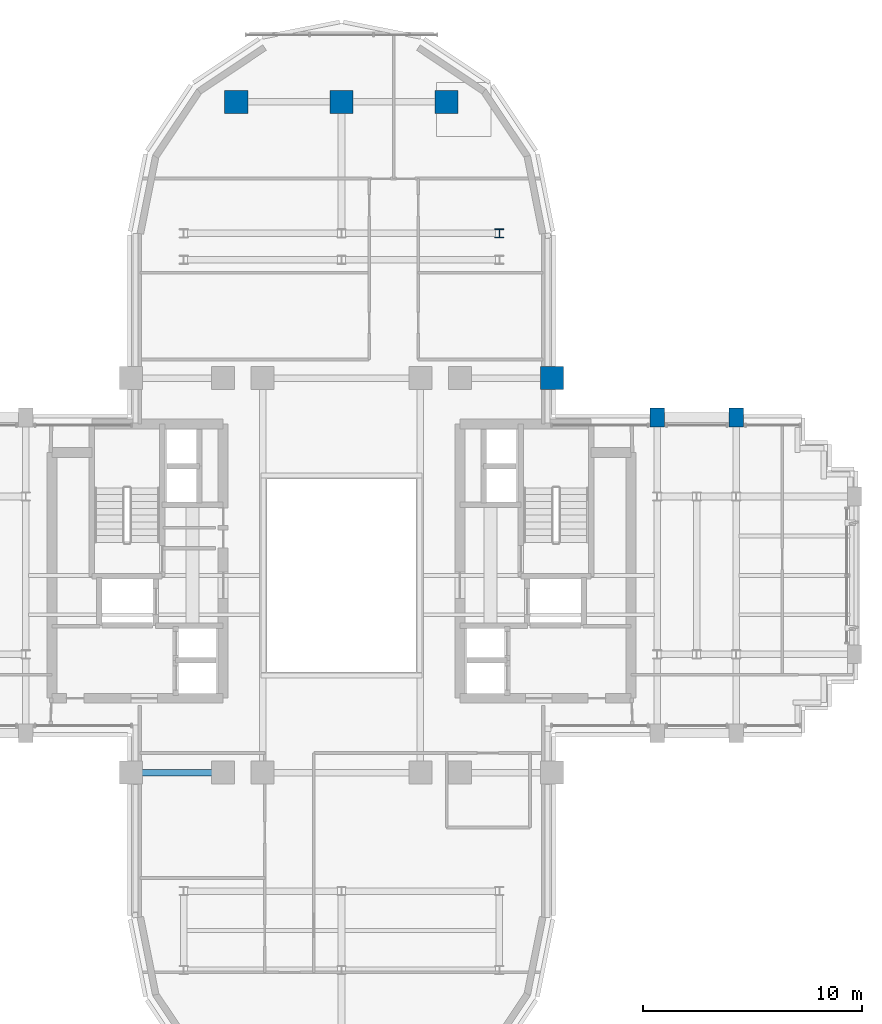
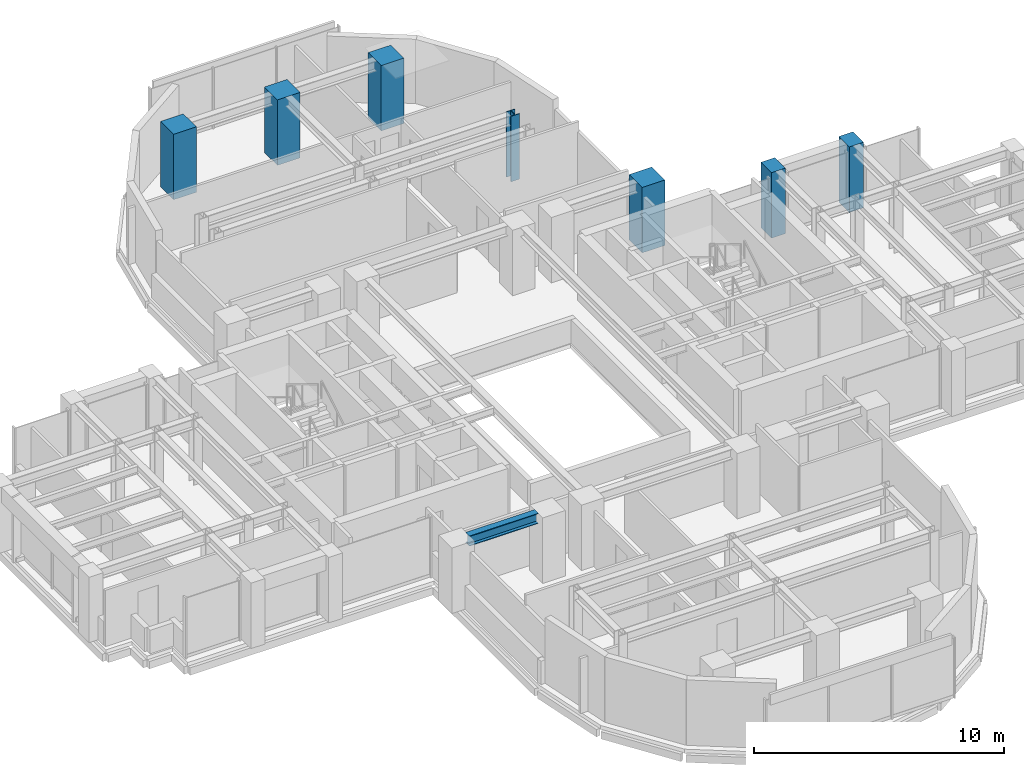
# One storey, part 2 of 14: 7 columns, 1 beam.
"""IFC4 building model written with IfcOpenShell, lengths in metres."""

from ifc_helpers import new_model, si_unit, direction, frame, origin, origin_2d, place, context, subcontext, project, spatial, rectangle, i_section, extrude, source, transform, mapped, material, material_profile, profile_set, type_object, element, save


model = new_model("IFC4")

# Units and contexts
model_context = context("Model", 3, precision=1e-05, world=origin(), true_north=direction((0.0, 1.0)))
body_context = subcontext(model_context, "Body", "Model", "MODEL_VIEW")
ifc_project = project(units=[si_unit("LENGTHUNIT", "METRE"), si_unit("AREAUNIT", "SQUARE_METRE"), si_unit("VOLUMEUNIT", "CUBIC_METRE"), si_unit("PLANEANGLEUNIT", "RADIAN"), si_unit("MASSUNIT", "GRAM", prefix="KILO")], contexts=[model_context])

# Site, building, storey
site_placement = place(None, origin())
site = spatial("IfcSite", under=ifc_project, at=site_placement, CompositionType="ELEMENT")
building_placement = place(site_placement, origin())
building = spatial("IfcBuilding", under=site, at=building_placement, Name="Keilestroom Media Tower", CompositionType="ELEMENT")
storey_placement = place(building_placement, frame((0.0, 0.0, 114.199951171875)))
storey = spatial("IfcBuildingStorey", under=building, at=storey_placement, Name="L30", CompositionType="ELEMENT", Elevation=114.199951171875)

# Columns
ifc_material_1 = material(Name="Precast concrete C40/50", Category="concrete")
ifc_material_profile_1 = material_profile(ifc_material_1, rectangle(XDim=0.64990234375, YDim=0.85009765625, at=origin_2d()), Name="PC 850x650")
ifc_profile_set_1 = profile_set([ifc_material_profile_1], Name="Precast concrete C40/50")
column_type_1 = type_object("IfcColumnType", Name="Structural-Column-PC-850x650", PredefinedType="COLUMN", material=ifc_profile_set_1)
shared_shape_1 = source(origin(), body_context, "Body", "SweptSolid", [
    extrude(rectangle(XDim=0.64990234375, YDim=0.85009765625, at=origin_2d()), origin(), (0.0, 0.0, 1.0), 3.199951171875),
])
for number, where, z_axis, x_axis, name in (
    (1, (14.39990234375, 7.199951171875, 0.0), (0.0, 0.0, 1.0), (1.0, 0.0, 0.0), "L30 Column PC-2 (+14.4,+7.2)"),
    (2, (18.0, 7.199951171875, 0.0), (0.0, 0.0, 1.0), (1.0, 0.0, 0.0), "L30 Column PC-2 (+18.0,+7.2)"),
):
    element("IfcColumn", number, at=place(storey_placement, frame(where, z_axis=z_axis, x_axis=x_axis)), inside=storey, type_object=column_type_1, Name=name, PredefinedType="COLUMN", context=body_context, shape_type="MappedRepresentation", body=[
        mapped(shared_shape_1, transform((0.0, 0.0, 0.0), x_axis=(1.0, 0.0, 0.0), y_axis=(0.0, 1.0, 0.0), z_axis=(0.0, 0.0, 1.0), scale=1.0)),
    ])
ifc_material_2 = material(Name="Steel S355", Category="steel")
ifc_material_profile_2 = material_profile(ifc_material_2, i_section(OverallWidth=0.40087890625, OverallDepth=0.39892578125, WebThickness=0.02001953125, FlangeThickness=0.031982421875, at=origin_2d()), Name="HD 400x314")
ifc_profile_set_2 = profile_set([ifc_material_profile_2], Name="Steel S355")
column_type_2 = type_object("IfcColumnType", Name="Structural-Column-HD-400x314", PredefinedType="COLUMN", material=ifc_profile_set_2)
shared_shape_2 = source(origin(), body_context, "Body", "SweptSolid", [
    extrude(i_section(OverallWidth=0.40087890625, OverallDepth=0.39892578125, WebThickness=0.02001953125, FlangeThickness=0.031982421875, at=origin_2d()), origin(), (0.0, 0.0, 1.0), 3.199951171875),
])
column_placement = place(storey_placement, frame((7.199951171875, 15.60009765625, 0.0), z_axis=(0.0, 0.0, 1.0), x_axis=(1.0, 0.0, 0.0)))
element("IfcColumn", 3, at=column_placement, inside=storey, type_object=column_type_2, Name="L30 Column SC-3 (+7.2,+15.6)", PredefinedType="COLUMN", context=body_context, shape_type="MappedRepresentation", body=[
    mapped(shared_shape_2, transform((0.0, 0.0, 0.0), x_axis=(1.0, 0.0, 0.0), y_axis=(0.0, 1.0, 0.0), z_axis=(0.0, 0.0, 1.0), scale=1.0)),
])
ifc_material_3 = material(Name="Concrete C55/67", Category="concrete")
ifc_material_profile_3 = material_profile(ifc_material_3, rectangle(XDim=1.050048828125, YDim=1.050048828125, at=origin_2d()), Name="RC 1050x1050")
ifc_profile_set_3 = profile_set([ifc_material_profile_3], Name="Concrete C55/67")
column_type_3 = type_object("IfcColumnType", Name="Structural-Column-RC-1050x1050", PredefinedType="COLUMN", material=ifc_profile_set_3)
shared_shape_3 = source(origin(), body_context, "Body", "SweptSolid", [
    extrude(rectangle(XDim=1.050048828125, YDim=1.050048828125, at=origin_2d()), origin(), (0.0, 0.0, 1.0), 3.199951171875),
])
for number, where, z_axis, x_axis, name in (
    (4, (-4.800048828125, 21.60009765625, 0.0), (0.0, 0.0, 1.0), (1.0, 0.0, 0.0), "L30 Column MC-3 (-4.8,+21.6)"),
    (5, (0.0, 21.60009765625, 0.0), (0.0, 0.0, 1.0), (1.0, 0.0, 0.0), "L30 Column MC-3 (+0.0,+21.6)"),
    (6, (4.800048828125, 21.60009765625, 0.0), (0.0, 0.0, 1.0), (1.0, 0.0, 0.0), "L30 Column MC-3 (+4.8,+21.6)"),
    (7, (9.60009765625, 9.0, 0.0), (0.0, 0.0, 1.0), (1.0, 0.0, 0.0), "L30 Column MC-3 (+9.6,+9.0)"),
):
    element("IfcColumn", number, at=place(storey_placement, frame(where, z_axis=z_axis, x_axis=x_axis)), inside=storey, type_object=column_type_3, Name=name, PredefinedType="COLUMN", context=body_context, shape_type="MappedRepresentation", body=[
        mapped(shared_shape_3, transform((0.0, 0.0, 0.0), x_axis=(1.0, 0.0, 0.0), y_axis=(0.0, 1.0, 0.0), z_axis=(0.0, 0.0, 1.0), scale=1.0)),
    ])

# Beam
ifc_material_profile_4 = material_profile(ifc_material_2, i_section(OverallWidth=0.300048828125, OverallDepth=0.5, WebThickness=0.012451171875, FlangeThickness=0.028076171875, at=origin_2d()), Name="HEB 500")
ifc_profile_set_4 = profile_set([ifc_material_profile_4], Name="Steel S355")
beam_type = type_object("IfcBeamType", Name="Primary-Structural-Girder-HEB-500", PredefinedType="BEAM", material=ifc_profile_set_4)
shared_shape_4 = source(origin(), body_context, "Body", "SweptSolid", [
    extrude(i_section(OverallWidth=0.300048828125, OverallDepth=0.5, WebThickness=0.012451171875, FlangeThickness=0.028076171875, at=origin_2d()), origin(), (0.0, 0.0, 1.0), 3.18994140625),
])
beam_placement = place(storey_placement, frame((-9.094970703125, -9.0, 2.949951171875), z_axis=(1.0, 0.0, 0.0), x_axis=(0.0, 1.0, 0.0)))
element("IfcBeam", 8, at=beam_placement, inside=storey, type_object=beam_type, Name="L30 Beam BG-6 BM-L30-EW-007", PredefinedType="BEAM", context=body_context, shape_type="MappedRepresentation", body=[
    mapped(shared_shape_4, transform((0.0, 0.0, 0.0), x_axis=(1.0, 0.0, 0.0), y_axis=(0.0, 1.0, 0.0), z_axis=(0.0, 0.0, 1.0), scale=1.0)),
])

save(model, "model.ifc")
